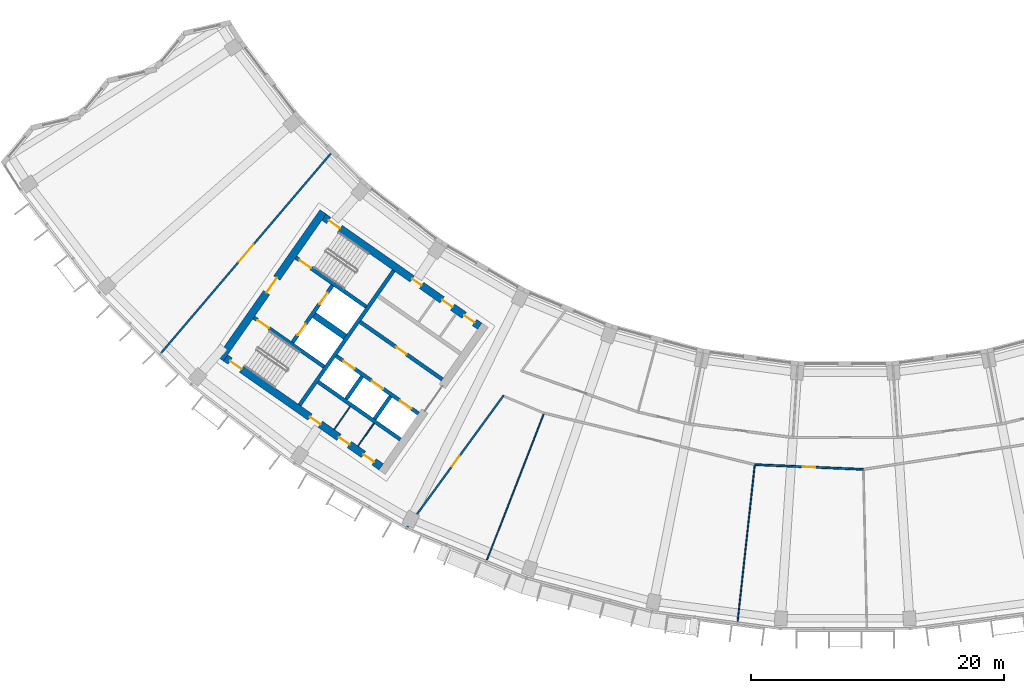
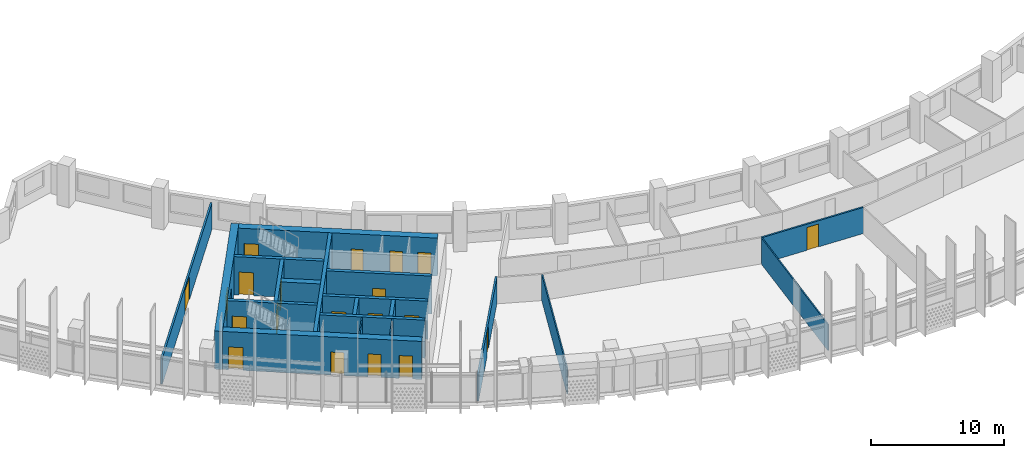
# One storey, part 3 of 28: 20 doors, 20 walls, 20 openings.
"""IFC4 building model written with IfcOpenShell, lengths in metres."""

from ifc_helpers import new_model, si_unit, direction, frame, frame_2d, origin, place, context, subcontext, project, spatial, rectangle, extrude, material, layer, layer_set, type_object, element, fill, save


model = new_model("IFC4")

# Units and contexts
model_context = context("Model", 3, precision=1e-05, world=origin(), true_north=direction((0.0, 1.0)))
body_context = subcontext(model_context, "Body", "Model", "MODEL_VIEW")
ifc_project = project(units=[si_unit("LENGTHUNIT", "METRE"), si_unit("AREAUNIT", "SQUARE_METRE"), si_unit("VOLUMEUNIT", "CUBIC_METRE"), si_unit("PLANEANGLEUNIT", "RADIAN"), si_unit("MASSUNIT", "GRAM", prefix="KILO")], contexts=[model_context])

# Site, building, storey
site_placement = place(None, origin())
site = spatial("IfcSite", under=ifc_project, at=site_placement, CompositionType="ELEMENT")
building_placement = place(site_placement, origin())
building = spatial("IfcBuilding", under=site, at=building_placement, Name="Qamariyya Broadcast Tower", CompositionType="ELEMENT")
storey_placement = place(building_placement, frame((0.0, 0.0, 226.5)))
storey = spatial("IfcBuildingStorey", under=building, at=storey_placement, Name="L54", CompositionType="ELEMENT", Elevation=226.5)

# Wall, opening, door
ifc_material_1 = material(Name="Concrete C60/75", Category="concrete")
ifc_layer_1 = layer(ifc_material_1, 0.60009765625)
ifc_layer_set_1 = layer_set([ifc_layer_1], Name="Core wall 600 mm Concrete C60/75")
wall_type_1 = type_object("IfcWallType", Name="Core wall 600 mm Concrete C60/75", PredefinedType="SHEAR", material=ifc_layer_set_1)
wall_1_placement = place(storey_placement, frame((-49.4833984375, -57.031494140625, 0.0), z_axis=(0.0, 0.0, 1.0), x_axis=(0.573560421458, 0.819163257805, 0.0)))
wall_1 = element("IfcWall", 1, at=wall_1_placement, inside=storey, type_object=wall_type_1, Name="k-W-L54-WH", PredefinedType="SHEAR", context=body_context, shape_type="SweptSolid", body=[
    extrude(rectangle(XDim=14.199951171875, YDim=0.60009765625, at=frame_2d((7.10009765625, 0.0))), origin(), (0.0, 0.0, 1.0), 3.5),
])
opening_1_placement = place(wall_1_placement, frame((6.39990234375, 0.0, 0.0)))
opening_1 = element("IfcOpeningElement", 2, at=opening_1_placement, cuts=wall_1, Name="Opening KD2-W1", PredefinedType="OPENING", context=body_context, shape_type="SweptSolid", body=[
    extrude(rectangle(XDim=1.39990234375, YDim=2.10009765625, at=frame_2d((0.699951171875, 1.050048828125))), frame((0.0, 0.31005859375, 0.0), z_axis=(0.0, -1.0, 0.0), x_axis=(1.0, 0.0, 0.0)), (0.0, 0.0, 1.0), 0.6201171875),
])
ifc_material_2 = material(Name="Steel fire-resisting door leaf", Category="steel")
door_type_1 = type_object("IfcDoorType", Name="Fire-fighting lobby door KD2", OperationType="DOUBLE_DOOR_SINGLE_SWING", PredefinedType="DOOR", material=ifc_material_2)
door_1_placement = place(opening_1_placement, origin())
door_1 = element("IfcDoor", 3, at=door_1_placement, inside=storey, type_object=door_type_1, Name="k-W-L54-WH-D14", OperationType="DOUBLE_DOOR_SINGLE_SWING", OverallHeight=2.10009765625, OverallWidth=1.39990234375, PredefinedType="DOOR", context=body_context, shape_type="SweptSolid", body=[
    extrude(rectangle(XDim=1.39990234375, YDim=2.10009765625, at=frame_2d((0.699951171875, 1.050048828125))), frame((0.0, 0.02490234375, 0.0), z_axis=(0.0, -1.0, 0.0), x_axis=(1.0, 0.0, 0.0)), (0.0, 0.0, 1.0), 0.050048828125),
])
fill(opening_1, door_1)

# Wall, openings, doors
wall_2_placement = place(storey_placement, frame((-28.940673828125, -54.447021484375, 0.0), z_axis=(0.0, 0.0, 1.0), x_axis=(-0.819153391756, 0.573574511963, 0.0)))
wall_2 = element("IfcWall", 4, at=wall_2_placement, inside=storey, type_object=wall_type_1, Name="k-W-L54-WI", PredefinedType="SHEAR", context=body_context, shape_type="SweptSolid", body=[
    extrude(rectangle(XDim=15.04541015625, YDim=0.60009765625, at=frame_2d((7.522705078125, 0.0))), origin(), (0.0, 0.0, 1.0), 3.5),
])
opening_2_placement = place(wall_2_placement, frame((0.5, 0.0, 0.0)))
opening_2 = element("IfcOpeningElement", 5, at=opening_2_placement, cuts=wall_2, Name="Opening KD6-W2", PredefinedType="OPENING", context=body_context, shape_type="SweptSolid", body=[
    extrude(rectangle(XDim=1.0, YDim=2.10009765625, at=frame_2d((0.5, 1.050048828125))), frame((0.0, 0.31005859375, 0.0), z_axis=(0.0, -1.0, 0.0), x_axis=(1.0, 0.0, 0.0)), (0.0, 0.0, 1.0), 0.6201171875),
])
opening_3_placement = place(wall_2_placement, frame((2.625, 0.0, 0.0)))
opening_3 = element("IfcOpeningElement", 6, at=opening_3_placement, cuts=wall_2, Name="Opening KD7-W1", PredefinedType="OPENING", context=body_context, shape_type="SweptSolid", body=[
    extrude(rectangle(XDim=1.0, YDim=2.10009765625, at=frame_2d((0.5, 1.050048828125))), frame((0.0, 0.31005859375, 0.0), z_axis=(0.0, -1.0, 0.0), x_axis=(1.0, 0.0, 0.0)), (0.0, 0.0, 1.0), 0.6201171875),
])
opening_4_placement = place(wall_2_placement, frame((5.625, 0.0, 0.0)))
opening_4 = element("IfcOpeningElement", 7, at=opening_4_placement, cuts=wall_2, Name="Opening KD5-W1", PredefinedType="OPENING", context=body_context, shape_type="SweptSolid", body=[
    extrude(rectangle(XDim=0.89990234375, YDim=2.10009765625, at=frame_2d((0.449951171875, 1.050048828125))), frame((0.0, 0.31005859375, 0.0), z_axis=(0.0, -1.0, 0.0), x_axis=(1.0, 0.0, 0.0)), (0.0, 0.0, 1.0), 0.6201171875),
])
opening_5_placement = place(wall_2_placement, frame((13.495361328125, 0.0, 0.0)))
opening_5 = element("IfcOpeningElement", 8, at=opening_5_placement, cuts=wall_2, Name="Opening KD1-W1", PredefinedType="OPENING", context=body_context, shape_type="SweptSolid", body=[
    extrude(rectangle(XDim=1.10009765625, YDim=2.10009765625, at=frame_2d((0.550048828125, 1.050048828125))), frame((0.0, 0.31005859375, 0.0), z_axis=(0.0, -1.0, 0.0), x_axis=(1.0, 0.0, 0.0)), (0.0, 0.0, 1.0), 0.6201171875),
])
door_type_2 = type_object("IfcDoorType", Name="Accessible toilet door KD7", OperationType="SINGLE_SWING_LEFT", PredefinedType="DOOR", material=ifc_material_2)
door_2_placement = place(opening_3_placement, origin())
door_2 = element("IfcDoor", 9, at=door_2_placement, inside=storey, type_object=door_type_2, Name="k-W-L54-WI-D7", OperationType="SINGLE_SWING_RIGHT", OverallHeight=2.10009765625, OverallWidth=1.0, PredefinedType="DOOR", context=body_context, shape_type="SweptSolid", body=[
    extrude(rectangle(XDim=1.0, YDim=2.10009765625, at=frame_2d((0.5, 1.050048828125))), frame((0.0, 0.02490234375, 0.0), z_axis=(0.0, -1.0, 0.0), x_axis=(1.0, 0.0, 0.0)), (0.0, 0.0, 1.0), 0.050048828125),
])
fill(opening_3, door_2)
door_type_3 = type_object("IfcDoorType", Name="Core room door KD6", OperationType="SINGLE_SWING_LEFT", PredefinedType="DOOR", material=ifc_material_2)
door_3_placement = place(opening_2_placement, origin())
door_3 = element("IfcDoor", 10, at=door_3_placement, inside=storey, type_object=door_type_3, Name="k-W-L54-WI-D6", OperationType="SINGLE_SWING_LEFT", OverallHeight=2.10009765625, OverallWidth=1.0, PredefinedType="DOOR", context=body_context, shape_type="SweptSolid", body=[
    extrude(rectangle(XDim=1.0, YDim=2.10009765625, at=frame_2d((0.5, 1.050048828125))), frame((0.0, 0.02490234375, 0.0), z_axis=(0.0, -1.0, 0.0), x_axis=(1.0, 0.0, 0.0)), (0.0, 0.0, 1.0), 0.050048828125),
])
fill(opening_2, door_3)
door_type_4 = type_object("IfcDoorType", Name="Stair door KD1", OperationType="SINGLE_SWING_LEFT", PredefinedType="DOOR", material=ifc_material_2)
door_4_placement = place(opening_5_placement, origin())
door_4 = element("IfcDoor", 11, at=door_4_placement, inside=storey, type_object=door_type_4, Name="k-W-L54-WI-D15", OperationType="SINGLE_SWING_RIGHT", OverallHeight=2.10009765625, OverallWidth=1.10009765625, PredefinedType="DOOR", context=body_context, shape_type="SweptSolid", body=[
    extrude(rectangle(XDim=1.10009765625, YDim=2.10009765625, at=frame_2d((0.550048828125, 1.050048828125))), frame((0.0, 0.02490234375, 0.0), z_axis=(0.0, -1.0, 0.0), x_axis=(1.0, 0.0, 0.0)), (0.0, 0.0, 1.0), 0.050048828125),
])
fill(opening_5, door_4)
door_type_5 = type_object("IfcDoorType", Name="Toilet door KD5", OperationType="SINGLE_SWING_LEFT", PredefinedType="DOOR", material=ifc_material_2)
door_5_placement = place(opening_4_placement, origin())
door_5 = element("IfcDoor", 12, at=door_5_placement, inside=storey, type_object=door_type_5, Name="k-W-L54-WI-D8", OperationType="SINGLE_SWING_LEFT", OverallHeight=2.10009765625, OverallWidth=0.89990234375, PredefinedType="DOOR", context=body_context, shape_type="SweptSolid", body=[
    extrude(rectangle(XDim=0.89990234375, YDim=2.10009765625, at=frame_2d((0.449951171875, 1.050048828125))), frame((0.0, 0.02490234375, 0.0), z_axis=(0.0, -1.0, 0.0), x_axis=(1.0, 0.0, 0.0)), (0.0, 0.0, 1.0), 0.050048828125),
])
fill(opening_4, door_5)

wall_3_placement = place(storey_placement, frame((-36.7412109375, -65.58740234375, 0.0), z_axis=(0.0, 0.0, 1.0), x_axis=(-0.819153391756, 0.573574511963, 0.0)))
wall_3 = element("IfcWall", 13, at=wall_3_placement, inside=storey, type_object=wall_type_1, Name="k-W-L54-WO", PredefinedType="SHEAR", context=body_context, shape_type="SweptSolid", body=[
    extrude(rectangle(XDim=15.04541015625, YDim=0.60009765625, at=frame_2d((7.522705078125, 0.0))), origin(), (0.0, 0.0, 1.0), 3.5),
])
opening_6_placement = place(wall_3_placement, frame((0.699951171875, 0.0, 0.0)))
opening_6 = element("IfcOpeningElement", 14, at=opening_6_placement, cuts=wall_3, Name="Opening KD6-W3", PredefinedType="OPENING", context=body_context, shape_type="SweptSolid", body=[
    extrude(rectangle(XDim=1.0, YDim=2.10009765625, at=frame_2d((0.5, 1.050048828125))), frame((0.0, 0.31005859375, 0.0), z_axis=(0.0, -1.0, 0.0), x_axis=(1.0, 0.0, 0.0)), (0.0, 0.0, 1.0), 0.6201171875),
])
opening_7_placement = place(wall_3_placement, frame((3.074951171875, 0.0, 0.0)))
opening_7 = element("IfcOpeningElement", 15, at=opening_7_placement, cuts=wall_3, Name="Opening KD4-W1", PredefinedType="OPENING", context=body_context, shape_type="SweptSolid", body=[
    extrude(rectangle(XDim=1.0, YDim=2.10009765625, at=frame_2d((0.5, 1.050048828125))), frame((0.0, 0.31005859375, 0.0), z_axis=(0.0, -1.0, 0.0), x_axis=(1.0, 0.0, 0.0)), (0.0, 0.0, 1.0), 0.6201171875),
])
opening_8_placement = place(wall_3_placement, frame((5.875, 0.0, 0.0)))
opening_8 = element("IfcOpeningElement", 16, at=opening_8_placement, cuts=wall_3, Name="Opening KD4-W2", PredefinedType="OPENING", context=body_context, shape_type="SweptSolid", body=[
    extrude(rectangle(XDim=1.0, YDim=2.10009765625, at=frame_2d((0.5, 1.050048828125))), frame((0.0, 0.31005859375, 0.0), z_axis=(0.0, -1.0, 0.0), x_axis=(1.0, 0.0, 0.0)), (0.0, 0.0, 1.0), 0.6201171875),
])
opening_9_placement = place(wall_3_placement, frame((13.495361328125, 0.0, 0.0)))
opening_9 = element("IfcOpeningElement", 17, at=opening_9_placement, cuts=wall_3, Name="Opening KD1-W3", PredefinedType="OPENING", context=body_context, shape_type="SweptSolid", body=[
    extrude(rectangle(XDim=1.10009765625, YDim=2.10009765625, at=frame_2d((0.550048828125, 1.050048828125))), frame((0.0, 0.31005859375, 0.0), z_axis=(0.0, -1.0, 0.0), x_axis=(1.0, 0.0, 0.0)), (0.0, 0.0, 1.0), 0.6201171875),
])
door_6_placement = place(opening_6_placement, origin())
door_6 = element("IfcDoor", 18, at=door_6_placement, inside=storey, type_object=door_type_3, Name="k-W-L54-WO-D9", OperationType="SINGLE_SWING_RIGHT", OverallHeight=2.10009765625, OverallWidth=1.0, PredefinedType="DOOR", context=body_context, shape_type="SweptSolid", body=[
    extrude(rectangle(XDim=1.0, YDim=2.10009765625, at=frame_2d((0.5, 1.050048828125))), frame((0.0, 0.02490234375, 0.0), z_axis=(0.0, -1.0, 0.0), x_axis=(1.0, 0.0, 0.0)), (0.0, 0.0, 1.0), 0.050048828125),
])
fill(opening_6, door_6)
door_type_6 = type_object("IfcDoorType", Name="Riser and plant door KD4", OperationType="SINGLE_SWING_LEFT", PredefinedType="DOOR", material=ifc_material_2)
door_7_placement = place(opening_7_placement, origin())
door_7 = element("IfcDoor", 19, at=door_7_placement, inside=storey, type_object=door_type_6, Name="k-W-L54-WO-D10", OperationType="SINGLE_SWING_LEFT", OverallHeight=2.10009765625, OverallWidth=1.0, PredefinedType="DOOR", context=body_context, shape_type="SweptSolid", body=[
    extrude(rectangle(XDim=1.0, YDim=2.10009765625, at=frame_2d((0.5, 1.050048828125))), frame((0.0, 0.02490234375, 0.0), z_axis=(0.0, -1.0, 0.0), x_axis=(1.0, 0.0, 0.0)), (0.0, 0.0, 1.0), 0.050048828125),
])
fill(opening_7, door_7)
door_8_placement = place(opening_8_placement, origin())
door_8 = element("IfcDoor", 20, at=door_8_placement, inside=storey, type_object=door_type_6, Name="k-W-L54-WO-D11", OperationType="SINGLE_SWING_RIGHT", OverallHeight=2.10009765625, OverallWidth=1.0, PredefinedType="DOOR", context=body_context, shape_type="SweptSolid", body=[
    extrude(rectangle(XDim=1.0, YDim=2.10009765625, at=frame_2d((0.5, 1.050048828125))), frame((0.0, 0.02490234375, 0.0), z_axis=(0.0, -1.0, 0.0), x_axis=(1.0, 0.0, 0.0)), (0.0, 0.0, 1.0), 0.050048828125),
])
fill(opening_8, door_8)
door_9_placement = place(opening_9_placement, origin())
door_9 = element("IfcDoor", 21, at=door_9_placement, inside=storey, type_object=door_type_4, Name="k-W-L54-WO-D17", OperationType="SINGLE_SWING_LEFT", OverallHeight=2.10009765625, OverallWidth=1.10009765625, PredefinedType="DOOR", context=body_context, shape_type="SweptSolid", body=[
    extrude(rectangle(XDim=1.10009765625, YDim=2.10009765625, at=frame_2d((0.550048828125, 1.050048828125))), frame((0.0, 0.02490234375, 0.0), z_axis=(0.0, -1.0, 0.0), x_axis=(1.0, 0.0, 0.0)), (0.0, 0.0, 1.0), 0.050048828125),
])
fill(opening_9, door_9)

# Wall, opening, door
ifc_material_3 = material(Name="Gypsum board partition")
ifc_layer_2 = layer(ifc_material_3, 0.14990234375)
ifc_layer_set_2 = layer_set([ifc_layer_2], Name="Corridor partition 150 EI 60")
wall_type_2 = type_object("IfcWallType", Name="Corridor partition 150 EI 60", PredefinedType="PARTITIONING", material=ifc_layer_set_2)
wall_4_placement = place(storey_placement, frame((-54.15283203125, -56.554931640625, 0.0), z_axis=(0.0, 0.0, 1.0), x_axis=(0.647962636986, 0.761672121762, 0.0)))
wall_4 = element("IfcWall", 22, at=wall_4_placement, inside=storey, type_object=wall_type_2, Name="Partition L54-001", PredefinedType="PARTITIONING", context=body_context, shape_type="SweptSolid", body=[
    extrude(rectangle(XDim=20.723388671875, YDim=0.14990234375, at=frame_2d((10.36181640625, 0.0))), origin(), (0.0, 0.0, 1.0), 2.39990234375),
])
opening_10_placement = place(wall_4_placement, frame((9.461669921875, 0.0, 0.0)))
opening_10 = element("IfcOpeningElement", 23, at=opening_10_placement, cuts=wall_4, Name="Opening L54-D13", PredefinedType="OPENING", context=body_context, shape_type="SweptSolid", body=[
    extrude(rectangle(XDim=1.800048828125, YDim=2.10009765625, at=frame_2d((0.89990234375, 1.050048828125))), frame((0.0, 0.0849609375, 0.0), z_axis=(0.0, -1.0, 0.0), x_axis=(1.0, 0.0, 0.0)), (0.0, 0.0, 1.0), 0.169921875),
])
ifc_material_4 = material(Name="Timber fire door leaf", Category="wood")
door_type_7 = type_object("IfcDoorType", Name="Double fire door 1800 x 2100 FD60", OperationType="NOTDEFINED", PredefinedType="DOOR", material=ifc_material_4)
door_10_placement = place(opening_10_placement, origin())
door_10 = element("IfcDoor", 24, at=door_10_placement, inside=storey, type_object=door_type_7, Name="Door L54-D13", OperationType="DOUBLE_DOOR_SINGLE_SWING", OverallHeight=2.10009765625, OverallWidth=1.800048828125, PredefinedType="DOOR", context=body_context, shape_type="SweptSolid", body=[
    extrude(rectangle(XDim=1.800048828125, YDim=2.10009765625, at=frame_2d((0.89990234375, 1.050048828125))), frame((0.0, 0.02490234375, 0.0), z_axis=(0.0, -1.0, 0.0), x_axis=(1.0, 0.0, 0.0)), (0.0, 0.0, 1.0), 0.050048828125),
])
fill(opening_10, door_10)

wall_5_placement = place(storey_placement, frame((-27.033447265625, -59.90966796875, 0.0), z_axis=(0.0, 0.0, 1.0), x_axis=(-0.589273648147, -0.807933516819, 0.0)))
wall_5 = element("IfcWall", 25, at=wall_5_placement, inside=storey, type_object=wall_type_2, Name="Partition L54-003", PredefinedType="PARTITIONING", context=body_context, shape_type="SweptSolid", body=[
    extrude(rectangle(XDim=12.956298828125, YDim=0.14990234375, at=frame_2d((6.47802734375, 0.0))), origin(), (0.0, 0.0, 1.0), 2.39990234375),
])
opening_11_placement = place(wall_5_placement, frame((5.97802734375, 0.0, 0.0)))
opening_11 = element("IfcOpeningElement", 26, at=opening_11_placement, cuts=wall_5, Name="Opening L54-D01", PredefinedType="OPENING", context=body_context, shape_type="SweptSolid", body=[
    extrude(rectangle(XDim=1.0, YDim=2.10009765625, at=frame_2d((0.5, 1.050048828125))), frame((0.0, 0.0849609375, 0.0), z_axis=(0.0, -1.0, 0.0), x_axis=(1.0, 0.0, 0.0)), (0.0, 0.0, 1.0), 0.169921875),
])
door_type_8 = type_object("IfcDoorType", Name="Fire door 1000 x 2100 FD60", OperationType="NOTDEFINED", PredefinedType="DOOR", material=ifc_material_4)
door_11_placement = place(opening_11_placement, origin())
door_11 = element("IfcDoor", 27, at=door_11_placement, inside=storey, type_object=door_type_8, Name="Door L54-D01", OperationType="SINGLE_SWING_RIGHT", OverallHeight=2.10009765625, OverallWidth=1.0, PredefinedType="DOOR", context=body_context, shape_type="SweptSolid", body=[
    extrude(rectangle(XDim=1.0, YDim=2.10009765625, at=frame_2d((0.5, 1.050048828125))), frame((0.0, 0.02490234375, 0.0), z_axis=(0.0, -1.0, 0.0), x_axis=(1.0, 0.0, 0.0)), (0.0, 0.0, 1.0), 0.050048828125),
])
fill(opening_11, door_11)

wall_6_placement = place(storey_placement, frame((1.437255859375, -65.7841796875, 0.0), z_axis=(0.0, 0.0, 1.0), x_axis=(-0.999050423115, 0.043568934724, 0.0)))
wall_6 = element("IfcWall", 28, at=wall_6_placement, inside=storey, type_object=wall_type_2, Name="Partition L54-013", PredefinedType="PARTITIONING", context=body_context, shape_type="SweptSolid", body=[
    extrude(rectangle(XDim=8.60693359375, YDim=0.14990234375, at=frame_2d((4.303466796875, 0.0))), origin(), (0.0, 0.0, 1.0), 2.39990234375),
])
opening_12_placement = place(wall_6_placement, frame((3.803466796875, 0.0, 0.0)))
opening_12 = element("IfcOpeningElement", 29, at=opening_12_placement, cuts=wall_6, Name="Opening L54-D03", PredefinedType="OPENING", context=body_context, shape_type="SweptSolid", body=[
    extrude(rectangle(XDim=1.0, YDim=2.10009765625, at=frame_2d((0.5, 1.050048828125))), frame((0.0, 0.0849609375, 0.0), z_axis=(0.0, -1.0, 0.0), x_axis=(1.0, 0.0, 0.0)), (0.0, 0.0, 1.0), 0.169921875),
])
door_12_placement = place(opening_12_placement, origin())
door_12 = element("IfcDoor", 30, at=door_12_placement, inside=storey, type_object=door_type_8, Name="Door L54-D03", OperationType="SINGLE_SWING_RIGHT", OverallHeight=2.10009765625, OverallWidth=1.0, PredefinedType="DOOR", context=body_context, shape_type="SweptSolid", body=[
    extrude(rectangle(XDim=1.0, YDim=2.10009765625, at=frame_2d((0.5, 1.050048828125))), frame((0.0, 0.02490234375, 0.0), z_axis=(0.0, -1.0, 0.0), x_axis=(1.0, 0.0, 0.0)), (0.0, 0.0, 1.0), 0.050048828125),
])
fill(opening_12, door_12)

# Walls
ifc_layer_3 = layer(ifc_material_1, 0.5)
ifc_layer_set_3 = layer_set([ifc_layer_3], Name="Fire-fighting lobby divider wall 500 mm Concrete C60/75")
wall_type_3 = type_object("IfcWallType", Name="Fire-fighting lobby divider wall 500 mm Concrete C60/75", PredefinedType="SOLIDWALL", material=ifc_layer_set_3)
wall_7_placement = place(storey_placement, frame((-39.59912109375, -55.28515625, 0.0), z_axis=(0.0, 0.0, 1.0), x_axis=(-0.819136323161, 0.573598887793, 0.0)))
element("IfcWall", 31, at=wall_7_placement, inside=storey, type_object=wall_type_3, Name="k-W-L54-FD", PredefinedType="SOLIDWALL", context=body_context, shape_type="SweptSolid", body=[
    extrude(rectangle(XDim=2.999755859375, YDim=0.5, at=frame_2d((1.5, 0.0))), origin(), (0.0, 0.0, 1.0), 3.5),
])
ifc_layer_4 = layer(ifc_material_1, 0.300048828125)
ifc_layer_set_4 = layer_set([ifc_layer_4], Name="Lift shaft wall 300 mm Concrete C60/75")
wall_type_4 = type_object("IfcWallType", Name="Lift shaft wall 300 mm Concrete C60/75", PredefinedType="SOLIDWALL", material=ifc_layer_set_4)
wall_8_placement = place(storey_placement, frame((-43.204345703125, -60.69580078125, 0.0), z_axis=(0.0, 0.0, 1.0), x_axis=(0.573571992966, 0.819155155563, 0.0)))
element("IfcWall", 32, at=wall_8_placement, inside=storey, type_object=wall_type_4, Name="k-W-L54-WL", PredefinedType="SOLIDWALL", context=body_context, shape_type="SweptSolid", body=[
    extrude(rectangle(XDim=13.000244140625, YDim=0.300048828125, at=frame_2d((6.5, 0.0))), origin(), (0.0, 0.0, 1.0), 3.5),
])

# Wall, opening, door
wall_9_placement = place(storey_placement, frame((-31.89453125, -58.66552734375, 0.0), z_axis=(0.0, 0.0, 1.0), x_axis=(-0.819166993208, 0.573555086491, 0.0)))
wall_9 = element("IfcWall", 33, at=wall_9_placement, inside=storey, type_object=wall_type_4, Name="k-W-L54-NF0", PredefinedType="SOLIDWALL", context=body_context, shape_type="SweptSolid", body=[
    extrude(rectangle(XDim=7.9501953125, YDim=0.300048828125, at=frame_2d((3.97509765625, 0.0))), origin(), (0.0, 0.0, 1.0), 3.5),
])
opening_13_placement = place(wall_9_placement, frame((3.47509765625, 0.0, 0.0)))
opening_13 = element("IfcOpeningElement", 34, at=opening_13_placement, cuts=wall_9, Name="Opening KD6-W1", PredefinedType="OPENING", context=body_context, shape_type="SweptSolid", body=[
    extrude(rectangle(XDim=1.0, YDim=2.10009765625, at=frame_2d((0.5, 1.050048828125))), frame((0.0, 0.159912109375, 0.0), z_axis=(0.0, -1.0, 0.0), x_axis=(1.0, 0.0, 0.0)), (0.0, 0.0, 1.0), 0.320068359375),
])
door_13_placement = place(opening_13_placement, origin())
door_13 = element("IfcDoor", 35, at=door_13_placement, inside=storey, type_object=door_type_3, Name="k-W-L54-NF0-D2", OperationType="SINGLE_SWING_LEFT", OverallHeight=2.10009765625, OverallWidth=1.0, PredefinedType="DOOR", context=body_context, shape_type="SweptSolid", body=[
    extrude(rectangle(XDim=1.0, YDim=2.10009765625, at=frame_2d((0.5, 1.050048828125))), frame((0.0, 0.02490234375, 0.0), z_axis=(0.0, -1.0, 0.0), x_axis=(1.0, 0.0, 0.0)), (0.0, 0.0, 1.0), 0.050048828125),
])
fill(opening_13, door_13)

# Wall, openings, doors
wall_10_placement = place(storey_placement, frame((-33.787353515625, -61.368896484375, 0.0), z_axis=(0.0, 0.0, 1.0), x_axis=(-0.819152564888, 0.573575692858, 0.0)))
wall_10 = element("IfcWall", 36, at=wall_10_placement, inside=storey, type_object=wall_type_4, Name="k-W-L54-SF0", PredefinedType="SOLIDWALL", context=body_context, shape_type="SweptSolid", body=[
    extrude(rectangle(XDim=7.9501953125, YDim=0.300048828125, at=frame_2d((3.97509765625, 0.0))), origin(), (0.0, 0.0, 1.0), 3.5),
])
opening_14_placement = place(wall_10_placement, frame((0.675048828125, 0.0, 0.0)))
opening_14 = element("IfcOpeningElement", 37, at=opening_14_placement, cuts=wall_10, Name="Opening LD", PredefinedType="OPENING", context=body_context, shape_type="SweptSolid", body=[
    extrude(rectangle(XDim=1.10009765625, YDim=2.10009765625, at=frame_2d((0.550048828125, 1.050048828125))), frame((0.0, 0.159912109375, 0.0), z_axis=(0.0, -1.0, 0.0), x_axis=(1.0, 0.0, 0.0)), (0.0, 0.0, 1.0), 0.320068359375),
])
opening_15_placement = place(wall_10_placement, frame((3.425048828125, 0.0, 0.0)))
opening_15 = element("IfcOpeningElement", 38, at=opening_15_placement, cuts=wall_10, Name="Opening LD", PredefinedType="OPENING", context=body_context, shape_type="SweptSolid", body=[
    extrude(rectangle(XDim=1.10009765625, YDim=2.10009765625, at=frame_2d((0.550048828125, 1.050048828125))), frame((0.0, 0.159912109375, 0.0), z_axis=(0.0, -1.0, 0.0), x_axis=(1.0, 0.0, 0.0)), (0.0, 0.0, 1.0), 0.320068359375),
])
opening_16_placement = place(wall_10_placement, frame((6.175048828125, 0.0, 0.0)))
opening_16 = element("IfcOpeningElement", 39, at=opening_16_placement, cuts=wall_10, Name="Opening LD", PredefinedType="OPENING", context=body_context, shape_type="SweptSolid", body=[
    extrude(rectangle(XDim=1.10009765625, YDim=2.10009765625, at=frame_2d((0.550048828125, 1.050048828125))), frame((0.0, 0.159912109375, 0.0), z_axis=(0.0, -1.0, 0.0), x_axis=(1.0, 0.0, 0.0)), (0.0, 0.0, 1.0), 0.320068359375),
])
door_type_9 = type_object("IfcDoorType", Name="Lift landing door LD", OperationType="DOUBLE_DOOR_SLIDING", PredefinedType="DOOR", material=ifc_material_2)
door_14_placement = place(opening_14_placement, origin())
door_14 = element("IfcDoor", 40, at=door_14_placement, inside=storey, type_object=door_type_9, Name="k-W-L54-SF0-D3", OperationType="DOUBLE_DOOR_SLIDING", OverallHeight=2.10009765625, OverallWidth=1.10009765625, PredefinedType="DOOR", context=body_context, shape_type="SweptSolid", body=[
    extrude(rectangle(XDim=1.10009765625, YDim=2.10009765625, at=frame_2d((0.550048828125, 1.050048828125))), frame((0.0, 0.02490234375, 0.0), z_axis=(0.0, -1.0, 0.0), x_axis=(1.0, 0.0, 0.0)), (0.0, 0.0, 1.0), 0.050048828125),
])
fill(opening_14, door_14)
door_15_placement = place(opening_15_placement, origin())
door_15 = element("IfcDoor", 41, at=door_15_placement, inside=storey, type_object=door_type_9, Name="k-W-L54-SF0-D4", OperationType="DOUBLE_DOOR_SLIDING", OverallHeight=2.10009765625, OverallWidth=1.10009765625, PredefinedType="DOOR", context=body_context, shape_type="SweptSolid", body=[
    extrude(rectangle(XDim=1.10009765625, YDim=2.10009765625, at=frame_2d((0.550048828125, 1.050048828125))), frame((0.0, 0.02490234375, 0.0), z_axis=(0.0, -1.0, 0.0), x_axis=(1.0, 0.0, 0.0)), (0.0, 0.0, 1.0), 0.050048828125),
])
fill(opening_15, door_15)
door_16_placement = place(opening_16_placement, origin())
door_16 = element("IfcDoor", 42, at=door_16_placement, inside=storey, type_object=door_type_9, Name="k-W-L54-SF0-D5", OperationType="DOUBLE_DOOR_SLIDING", OverallHeight=2.10009765625, OverallWidth=1.10009765625, PredefinedType="DOOR", context=body_context, shape_type="SweptSolid", body=[
    extrude(rectangle(XDim=1.10009765625, YDim=2.10009765625, at=frame_2d((0.550048828125, 1.050048828125))), frame((0.0, 0.02490234375, 0.0), z_axis=(0.0, -1.0, 0.0), x_axis=(1.0, 0.0, 0.0)), (0.0, 0.0, 1.0), 0.050048828125),
])
fill(opening_16, door_16)

# Walls
wall_11_placement = place(storey_placement, frame((-35.22119140625, -63.41650390625, 0.0), z_axis=(0.0, 0.0, 1.0), x_axis=(-0.819166993208, 0.573555086491, 0.0)))
element("IfcWall", 43, at=wall_11_placement, inside=storey, type_object=wall_type_4, Name="k-W-L54-SB0", PredefinedType="SOLIDWALL", context=body_context, shape_type="SweptSolid", body=[
    extrude(rectangle(XDim=7.9501953125, YDim=0.300048828125, at=frame_2d((3.97509765625, 0.0))), origin(), (0.0, 0.0, 1.0), 3.5),
])
wall_12_placement = place(storey_placement, frame((-36.003173828125, -60.000244140625, 0.0), z_axis=(0.0, 0.0, 1.0), x_axis=(-0.573581496053, -0.819148501424, 0.0)))
element("IfcWall", 44, at=wall_12_placement, inside=storey, type_object=wall_type_4, Name="k-W-L54-SD0", PredefinedType="SOLIDWALL", context=body_context, shape_type="SweptSolid", body=[
    extrude(rectangle(XDim=2.2001953125, YDim=0.300048828125, at=frame_2d((1.10009765625, 0.0))), origin(), (0.0, 0.0, 1.0), 3.5),
])
wall_13_placement = place(storey_placement, frame((-38.255859375, -58.423095703125, 0.0), z_axis=(0.0, 0.0, 1.0), x_axis=(-0.573633636671, -0.819111989218, 0.0)))
element("IfcWall", 45, at=wall_13_placement, inside=storey, type_object=wall_type_4, Name="k-W-L54-SD1", PredefinedType="SOLIDWALL", context=body_context, shape_type="SweptSolid", body=[
    extrude(rectangle(XDim=2.199951171875, YDim=0.300048828125, at=frame_2d((1.10009765625, 0.0))), origin(), (0.0, 0.0, 1.0), 3.5),
])

# Wall, opening, door
wall_14_placement = place(storey_placement, frame((-37.935546875, -52.90966796875, 0.0), z_axis=(0.0, 0.0, 1.0), x_axis=(-0.819147518138, 0.57358290031, 0.0)))
wall_14 = element("IfcWall", 46, at=wall_14_placement, inside=storey, type_object=wall_type_4, Name="k-W-L54-NW", PredefinedType="SOLIDWALL", context=body_context, shape_type="SweptSolid", body=[
    extrude(rectangle(XDim=6.79541015625, YDim=0.300048828125, at=frame_2d((3.397705078125, 0.0))), origin(), (0.0, 0.0, 1.0), 3.5),
])
opening_17_placement = place(wall_14_placement, frame((5.3203125, 0.0, 0.0)))
opening_17 = element("IfcOpeningElement", 47, at=opening_17_placement, cuts=wall_14, Name="Opening KD1-W2", PredefinedType="OPENING", context=body_context, shape_type="SweptSolid", body=[
    extrude(rectangle(XDim=1.10009765625, YDim=2.10009765625, at=frame_2d((0.550048828125, 1.050048828125))), frame((0.0, 0.159912109375, 0.0), z_axis=(0.0, -1.0, 0.0), x_axis=(1.0, 0.0, 0.0)), (0.0, 0.0, 1.0), 0.320068359375),
])
door_17_placement = place(opening_17_placement, origin())
door_17 = element("IfcDoor", 48, at=door_17_placement, inside=storey, type_object=door_type_4, Name="k-W-L54-NW-D16", OperationType="SINGLE_SWING_LEFT", OverallHeight=2.10009765625, OverallWidth=1.10009765625, PredefinedType="DOOR", context=body_context, shape_type="SweptSolid", body=[
    extrude(rectangle(XDim=1.10009765625, YDim=2.10009765625, at=frame_2d((0.550048828125, 1.050048828125))), frame((0.0, 0.02490234375, 0.0), z_axis=(0.0, -1.0, 0.0), x_axis=(1.0, 0.0, 0.0)), (0.0, 0.0, 1.0), 0.050048828125),
])
fill(opening_17, door_17)

wall_15_placement = place(storey_placement, frame((-41.262451171875, -57.66064453125, 0.0), z_axis=(0.0, 0.0, 1.0), x_axis=(-0.819164398642, 0.573558792102, 0.0)))
wall_15 = element("IfcWall", 49, at=wall_15_placement, inside=storey, type_object=wall_type_4, Name="k-W-L54-SW", PredefinedType="SOLIDWALL", context=body_context, shape_type="SweptSolid", body=[
    extrude(rectangle(XDim=6.795166015625, YDim=0.300048828125, at=frame_2d((3.3974609375, 0.0))), origin(), (0.0, 0.0, 1.0), 3.5),
])
opening_18_placement = place(wall_15_placement, frame((5.3203125, 0.0, 0.0)))
opening_18 = element("IfcOpeningElement", 50, at=opening_18_placement, cuts=wall_15, Name="Opening KD1-W4", PredefinedType="OPENING", context=body_context, shape_type="SweptSolid", body=[
    extrude(rectangle(XDim=1.10009765625, YDim=2.10009765625, at=frame_2d((0.550048828125, 1.050048828125))), frame((0.0, 0.159912109375, 0.0), z_axis=(0.0, -1.0, 0.0), x_axis=(1.0, 0.0, 0.0)), (0.0, 0.0, 1.0), 0.320068359375),
])
door_18_placement = place(opening_18_placement, origin())
door_18 = element("IfcDoor", 51, at=door_18_placement, inside=storey, type_object=door_type_4, Name="k-W-L54-SW-D18", OperationType="SINGLE_SWING_LEFT", OverallHeight=2.10009765625, OverallWidth=1.10009765625, PredefinedType="DOOR", context=body_context, shape_type="SweptSolid", body=[
    extrude(rectangle(XDim=1.10009765625, YDim=2.10009765625, at=frame_2d((0.550048828125, 1.050048828125))), frame((0.0, 0.02490234375, 0.0), z_axis=(0.0, -1.0, 0.0), x_axis=(1.0, 0.0, 0.0)), (0.0, 0.0, 1.0), 0.050048828125),
])
fill(opening_18, door_18)

# Wall, openings, doors
wall_16_placement = place(storey_placement, frame((-43.756591796875, -55.731201171875, 0.0), z_axis=(0.0, 0.0, 1.0), x_axis=(0.573536818435, 0.819179783625, 0.0)))
wall_16 = element("IfcWall", 52, at=wall_16_placement, inside=storey, type_object=wall_type_4, Name="k-W-L54-FF", PredefinedType="SOLIDWALL", context=body_context, shape_type="SweptSolid", body=[
    extrude(rectangle(XDim=5.500244140625, YDim=0.300048828125, at=frame_2d((2.75, 0.0))), origin(), (0.0, 0.0, 1.0), 3.5),
])
opening_19_placement = place(wall_16_placement, frame((0.699951171875, 0.0, 0.0)))
opening_19 = element("IfcOpeningElement", 53, at=opening_19_placement, cuts=wall_16, Name="Opening LD", PredefinedType="OPENING", context=body_context, shape_type="SweptSolid", body=[
    extrude(rectangle(XDim=1.10009765625, YDim=2.10009765625, at=frame_2d((0.550048828125, 1.050048828125))), frame((0.0, 0.159912109375, 0.0), z_axis=(0.0, -1.0, 0.0), x_axis=(1.0, 0.0, 0.0)), (0.0, 0.0, 1.0), 0.320068359375),
])
opening_20_placement = place(wall_16_placement, frame((3.699951171875, 0.0, 0.0)))
opening_20 = element("IfcOpeningElement", 54, at=opening_20_placement, cuts=wall_16, Name="Opening LD", PredefinedType="OPENING", context=body_context, shape_type="SweptSolid", body=[
    extrude(rectangle(XDim=1.10009765625, YDim=2.10009765625, at=frame_2d((0.550048828125, 1.050048828125))), frame((0.0, 0.159912109375, 0.0), z_axis=(0.0, -1.0, 0.0), x_axis=(1.0, 0.0, 0.0)), (0.0, 0.0, 1.0), 0.320068359375),
])
door_19_placement = place(opening_19_placement, origin())
door_19 = element("IfcDoor", 55, at=door_19_placement, inside=storey, type_object=door_type_9, Name="k-W-L54-FF-D12", OperationType="DOUBLE_DOOR_SLIDING", OverallHeight=2.10009765625, OverallWidth=1.10009765625, PredefinedType="DOOR", context=body_context, shape_type="SweptSolid", body=[
    extrude(rectangle(XDim=1.10009765625, YDim=2.10009765625, at=frame_2d((0.550048828125, 1.050048828125))), frame((0.0, 0.02490234375, 0.0), z_axis=(0.0, -1.0, 0.0), x_axis=(1.0, 0.0, 0.0)), (0.0, 0.0, 1.0), 0.050048828125),
])
fill(opening_19, door_19)
door_20_placement = place(opening_20_placement, origin())
door_20 = element("IfcDoor", 56, at=door_20_placement, inside=storey, type_object=door_type_9, Name="k-W-L54-FF-D13", OperationType="DOUBLE_DOOR_SLIDING", OverallHeight=2.10009765625, OverallWidth=1.10009765625, PredefinedType="DOOR", context=body_context, shape_type="SweptSolid", body=[
    extrude(rectangle(XDim=1.10009765625, YDim=2.10009765625, at=frame_2d((0.550048828125, 1.050048828125))), frame((0.0, 0.02490234375, 0.0), z_axis=(0.0, -1.0, 0.0), x_axis=(1.0, 0.0, 0.0)), (0.0, 0.0, 1.0), 0.050048828125),
])
fill(opening_20, door_20)

# Walls
ifc_layer_5 = layer(ifc_material_3, 0.10009765625)
ifc_layer_set_5 = layer_set([ifc_layer_5], Name="Partition 100")
wall_type_5 = type_object("IfcWallType", Name="Partition 100", PredefinedType="PARTITIONING", material=ifc_layer_set_5)
for number, where, z_axis, x_axis, name in (
    (57, (-28.376953125, -72.977294921875, 0.0), (0.0, 0.0, 1.0), (0.362402643561, 0.932021632764, 0.0), "Partition L54-002"),
    (58, (-8.522216796875, -77.835205078125, 0.0), (0.0, 0.0, 1.0), (0.108852796, 0.994057880006, 0.0), "Partition L54-012"),
):
    element("IfcWall", number, at=place(storey_placement, frame(where, z_axis=z_axis, x_axis=x_axis)), inside=storey, type_object=wall_type_5, Name=name, PredefinedType="PARTITIONING", context=body_context, shape_type="SweptSolid", body=[
        extrude(rectangle(XDim=12.42529296875, YDim=0.10009765625, at=frame_2d((6.212646484375, 0.0))), origin(), (0.0, 0.0, 1.0), 2.39990234375),
    ])
ifc_material_5 = material(Name="Fire-rated gypsum shaft liner on steel studs", Category="steel")
ifc_layer_6 = layer(ifc_material_5, 0.10009765625)
ifc_layer_set_6 = layer_set([ifc_layer_6], Name="Riser wall 100 mm")
wall_type_6 = type_object("IfcWallType", Name="Riser wall 100 mm", PredefinedType="PLUMBINGWALL", material=ifc_layer_set_6)
wall_17_placement = place(storey_placement, frame((-37.314208984375, -62.13427734375, 0.0), z_axis=(0.0, 0.0, 1.0), x_axis=(-0.573633636671, -0.819111989218, 0.0)))
element("IfcWall", 59, at=wall_17_placement, inside=storey, type_object=wall_type_6, Name="k-W-L54-SP245", PredefinedType="PLUMBINGWALL", context=body_context, shape_type="SweptSolid", body=[
    extrude(rectangle(XDim=2.199951171875, YDim=0.10009765625, at=frame_2d((1.10009765625, 0.0))), origin(), (0.0, 0.0, 1.0), 3.5),
])
wall_18_placement = place(storey_placement, frame((-39.1982421875, -60.81494140625, 0.0), z_axis=(0.0, 0.0, 1.0), x_axis=(-0.573581496053, -0.819148501424, 0.0)))
element("IfcWall", 60, at=wall_18_placement, inside=storey, type_object=wall_type_6, Name="k-W-L54-SP475", PredefinedType="PLUMBINGWALL", context=body_context, shape_type="SweptSolid", body=[
    extrude(rectangle(XDim=2.2001953125, YDim=0.10009765625, at=frame_2d((1.10009765625, 0.0))), origin(), (0.0, 0.0, 1.0), 3.5),
])

save(model, "model.ifc")
